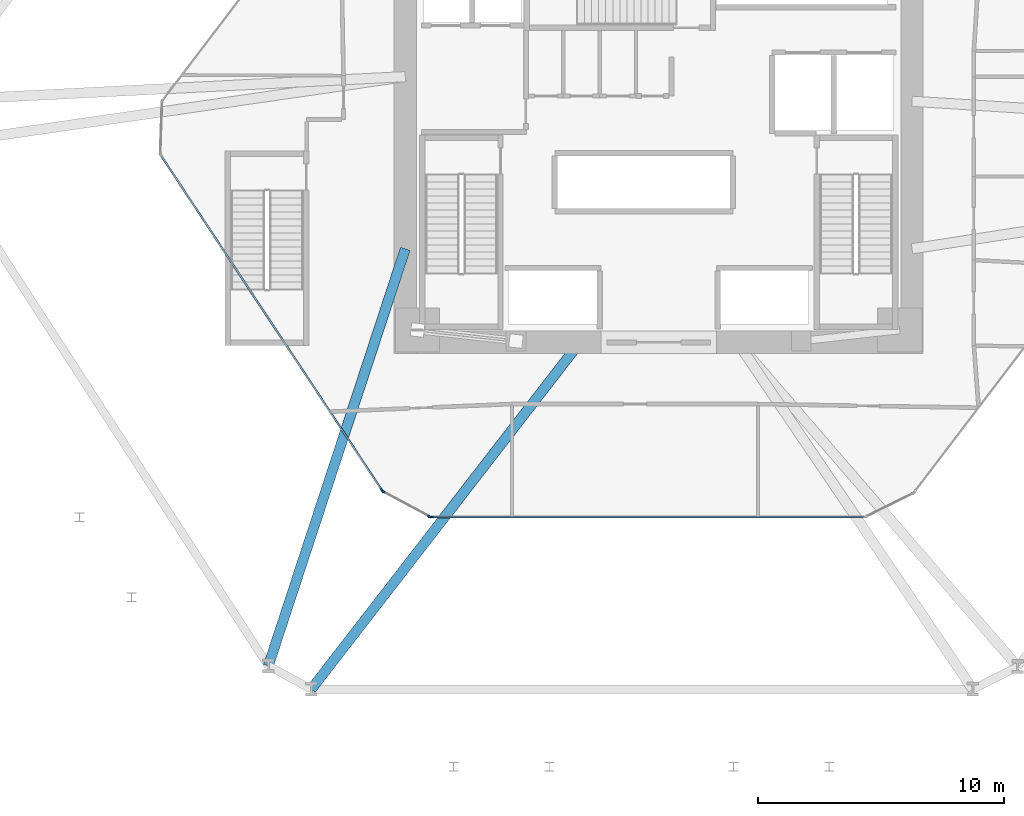
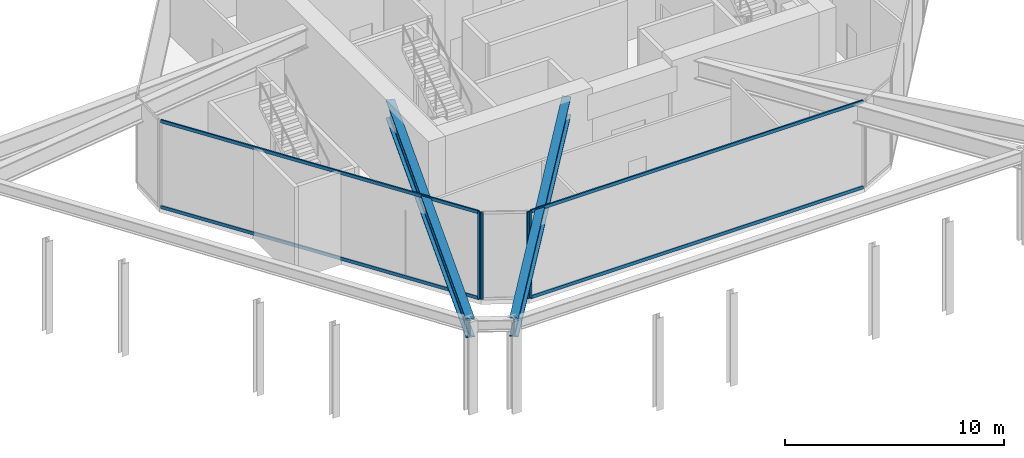
# One storey, part 6 of 16: 8 members, 2 beams, 3 elements without a shape of their own.
"""IFC4 building model written with IfcOpenShell, lengths in metres."""

from ifc_helpers import new_model, si_unit, direction, frame, origin, origin_2d, place, context, subcontext, project, spatial, rectangle, i_section, extrude, source, transform, mapped, material, layer, layer_set, material_profile, profile_set, type_object, type_shapes, element, aggregate, save


model = new_model("IFC4")

# Units and contexts
model_context = context("Model", 3, precision=1e-05, world=origin(), true_north=direction((0.0, 1.0)))
body_context = subcontext(model_context, "Body", "Model", "MODEL_VIEW")
ifc_project = project(units=[si_unit("LENGTHUNIT", "METRE"), si_unit("AREAUNIT", "SQUARE_METRE"), si_unit("VOLUMEUNIT", "CUBIC_METRE"), si_unit("PLANEANGLEUNIT", "RADIAN"), si_unit("MASSUNIT", "GRAM", prefix="KILO")], contexts=[model_context])

# Site, building, storey
site_placement = place(None, origin())
site = spatial("IfcSite", under=ifc_project, at=site_placement, CompositionType="ELEMENT")
building_placement = place(site_placement, origin())
building = spatial("IfcBuilding", under=site, at=building_placement, Name="Durnholm Broadcast Tower", CompositionType="ELEMENT")
storey_placement = place(building_placement, frame((0.0, 0.0, 5.199951171875)))
storey = spatial("IfcBuildingStorey", under=building, at=storey_placement, Name="L01", CompositionType="ELEMENT", Elevation=5.199951171875)

# Beams
ifc_material_1 = material(Name="Steel ASTM A992 Grade 50", Category="steel")
ifc_material_profile_1 = material_profile(ifc_material_1, i_section(OverallWidth=0.412109375, OverallDepth=1.048095703125, WebThickness=0.033935546875, FlangeThickness=0.059814453125, FilletRadius=0.04052734375, at=origin_2d()), Name="W40X431")
ifc_profile_set_1 = profile_set([ifc_material_profile_1], Name="Steel ASTM A992 Grade 50")
beam_type = type_object("IfcBeamType", Name="STL-TG-W40X431", PredefinedType="USERDEFINED", material=ifc_profile_set_1)
shared_shape_1 = source(origin(), body_context, "Body", "SweptSolid", [
    extrude(i_section(OverallWidth=0.412109375, OverallDepth=1.048095703125, WebThickness=0.033935546875, FlangeThickness=0.059814453125, FilletRadius=0.04052734375, at=origin_2d()), origin(), (0.0, 0.0, 1.0), 17.833740234375),
])
beam_1_placement = place(storey_placement, frame((-3.199951171875, -8.300048828125, 4.31103515625), z_axis=(-0.612293019064, -0.790630924519, 0.0), x_axis=(0.790630924519, -0.612293019064, 0.0)))
element("IfcBeam", 1, at=beam_1_placement, inside=storey, type_object=beam_type, Name="L01 radial primary floor girder 12", ObjectType="GIRDER", PredefinedType="USERDEFINED", context=body_context, shape_type="MappedRepresentation", body=[
    mapped(shared_shape_1, transform((0.0, 0.0, 0.0), x_axis=(1.0, 0.0, 0.0), y_axis=(0.0, 1.0, 0.0), z_axis=(0.0, 0.0, 1.0), scale=1.0)),
])
shared_shape_2 = source(origin(), body_context, "Body", "SweptSolid", [
    extrude(i_section(OverallWidth=0.412109375, OverallDepth=1.048095703125, WebThickness=0.033935546875, FlangeThickness=0.059814453125, FilletRadius=0.04052734375, at=origin_2d()), origin(), (0.0, 0.0, 1.0), 17.84130859375),
])
type_shapes(beam_type, [shared_shape_1, shared_shape_2])
beam_2_placement = place(storey_placement, frame((-10.300048828125, -4.5, 4.31103515625), z_axis=(-0.311996254667, -0.950083331647, 0.0), x_axis=(0.950083331647, -0.311996254667, 0.0)))
element("IfcBeam", 2, at=beam_2_placement, inside=storey, type_object=beam_type, Name="L01 radial primary floor girder 01", ObjectType="GIRDER", PredefinedType="USERDEFINED", context=body_context, shape_type="MappedRepresentation", body=[
    mapped(shared_shape_2, transform((0.0, 0.0, 0.0), x_axis=(1.0, 0.0, 0.0), y_axis=(0.0, 1.0, 0.0), z_axis=(0.0, 0.0, 1.0), scale=1.0)),
])

# Curtain wall, members
ifc_material_2 = material(Name="Aluminium and Solar Control IGU", Category="aluminium")
ifc_layer_1 = layer(ifc_material_2, 0.1650390625)
ifc_layer_set_1 = layer_set([ifc_layer_1], Name="Aluminium and Solar Control IGU")
curtain_wall_type_1 = type_object("IfcCurtainWallType", Name="CW-SYS-5", PredefinedType="NOTDEFINED", material=ifc_layer_set_1)
curtain_wall_1_placement = place(storey_placement, origin())
curtain_wall_1 = element("IfcCurtainWall", 3, at=curtain_wall_1_placement, inside=storey, type_object=curtain_wall_type_1, Name="L01 curtain wall CW-CORNER CW-L01-CRN-11", PredefinedType="NOTDEFINED")
ifc_material_3 = material(Name="Aluminium 6063-T6", Category="aluminium")
ifc_material_profile_2 = material_profile(ifc_material_3, rectangle(XDim=0.06494140625, YDim=0.1650390625, at=origin_2d()), Name="CWM65X165")
ifc_profile_set_2 = profile_set([ifc_material_profile_2], Name="Aluminium 6063-T6")
member_type_1 = type_object("IfcMemberType", Name="CW-SYS-5-MUL", PredefinedType="MULLION", material=ifc_profile_set_2)
shared_shape_3 = source(origin(), body_context, "Body", "SweptSolid", [
    extrude(rectangle(XDim=0.06494140625, YDim=0.1650390625, at=origin_2d()), origin(), (0.0, 0.0, 1.0), 4.85009765625),
])
type_shapes(member_type_1, [shared_shape_3])
member_1_placement = place(storey_placement, frame((-9.31201171875, -15.384521484375, 0.0), z_axis=(0.0, 0.0, 1.0), x_axis=(-0.473812478484, -0.880625763439, 0.0)))
member_1 = element("IfcMember", 4, at=member_1_placement, type_object=member_type_1, Name="CW-CORNER mullion 1", PredefinedType="MULLION", context=body_context, shape_type="MappedRepresentation", body=[
    mapped(shared_shape_3, transform((0.0, 0.0, 0.0), x_axis=(1.0, 0.0, 0.0), y_axis=(0.0, 1.0, 0.0), z_axis=(0.0, 0.0, 1.0), scale=1.0)),
])
member_2_placement = place(storey_placement, frame((-11.1923828125, -14.373046875, 0.0), z_axis=(0.0, 0.0, 1.0), x_axis=(-0.473812478484, -0.880625763439, 0.0)))
member_2 = element("IfcMember", 5, at=member_2_placement, type_object=member_type_1, Name="CW-CORNER mullion 2", PredefinedType="MULLION", context=body_context, shape_type="MappedRepresentation", body=[
    mapped(shared_shape_3, transform((0.0, 0.0, 0.0), x_axis=(1.0, 0.0, 0.0), y_axis=(0.0, 1.0, 0.0), z_axis=(0.0, 0.0, 1.0), scale=1.0)),
])
aggregate(curtain_wall_1, [member_1, member_2])

# Curtain wall, member
ifc_layer_2 = layer(ifc_material_2, 0.219970703125)
ifc_layer_set_2 = layer_set([ifc_layer_2], Name="Aluminium and Solar Control IGU")
curtain_wall_type_2 = type_object("IfcCurtainWallType", Name="CW-SYS-1", PredefinedType="NOTDEFINED", material=ifc_layer_set_2)
curtain_wall_2_placement = place(storey_placement, origin())
curtain_wall_2 = element("IfcCurtainWall", 6, at=curtain_wall_2_placement, inside=storey, type_object=curtain_wall_type_2, Name="L01 curtain wall CW-LOBBY CW-L01-F10", PredefinedType="NOTDEFINED")
ifc_material_profile_3 = material_profile(ifc_material_3, rectangle(XDim=0.074951171875, YDim=0.219970703125, at=origin_2d()), Name="CWM75X220")
ifc_profile_set_3 = profile_set([ifc_material_profile_3], Name="Aluminium 6063-T6")
member_type_2 = type_object("IfcMemberType", Name="CW-SYS-1-MUL", PredefinedType="MULLION", material=ifc_profile_set_3)
shared_shape_4 = source(origin(), body_context, "Body", "SweptSolid", [
    extrude(rectangle(XDim=0.074951171875, YDim=0.219970703125, at=origin_2d()), origin(), (0.0, 0.0, 1.0), 4.85009765625),
])
type_shapes(member_type_2, [shared_shape_4])
member_3_placement = place(storey_placement, frame((-9.24609375, -15.39990234375, 0.0), z_axis=(0.0, 0.0, 1.0), x_axis=(0.0, -1.0, 0.0)))
member_3 = element("IfcMember", 7, at=member_3_placement, type_object=member_type_2, Name="CW-LOBBY mullion 2", PredefinedType="MULLION", context=body_context, shape_type="MappedRepresentation", body=[
    mapped(shared_shape_4, transform((0.0, 0.0, 0.0), x_axis=(1.0, 0.0, 0.0), y_axis=(0.0, 1.0, 0.0), z_axis=(0.0, 0.0, 1.0), scale=1.0)),
])

curtain_wall_3_placement = place(storey_placement, origin())
curtain_wall_3 = element("IfcCurtainWall", 8, at=curtain_wall_3_placement, inside=storey, type_object=curtain_wall_type_2, Name="L01 curtain wall CW-LOBBY CW-L01-F12", PredefinedType="NOTDEFINED")
member_4_placement = place(storey_placement, frame((-11.241455078125, -14.326416015625, 0.0), z_axis=(0.0, 0.0, 1.0), x_axis=(-0.834496352934, -0.551013463483, 0.0)))
member_4 = element("IfcMember", 9, at=member_4_placement, type_object=member_type_2, Name="CW-LOBBY mullion 1", PredefinedType="MULLION", context=body_context, shape_type="MappedRepresentation", body=[
    mapped(shared_shape_4, transform((0.0, 0.0, 0.0), x_axis=(1.0, 0.0, 0.0), y_axis=(0.0, 1.0, 0.0), z_axis=(0.0, 0.0, 1.0), scale=1.0)),
])

# Member
ifc_material_profile_4 = material_profile(ifc_material_3, rectangle(XDim=0.074951171875, YDim=0.179931640625, at=origin_2d()), Name="CWT75X180")
ifc_profile_set_4 = profile_set([ifc_material_profile_4], Name="Aluminium 6063-T6")
member_type_3 = type_object("IfcMemberType", Name="CW-SYS-1-TRN", PredefinedType="USERDEFINED", material=ifc_profile_set_4)
shared_shape_5 = source(origin(), body_context, "Body", "SweptSolid", [
    extrude(rectangle(XDim=0.074951171875, YDim=0.179931640625, at=origin_2d()), origin(), (0.0, 0.0, 1.0), 17.533203125),
])
member_5_placement = place(storey_placement, frame((8.32470703125, -15.39990234375, 0.03759765625), z_axis=(-1.0, 0.0, 0.0), x_axis=(0.0, -1.0, 0.0)))
member_5 = element("IfcMember", 10, at=member_5_placement, type_object=member_type_3, Name="CW-LOBBY transom 1.1", ObjectType="TRANSOM", PredefinedType="USERDEFINED", context=body_context, shape_type="MappedRepresentation", body=[
    mapped(shared_shape_5, transform((0.0, 0.0, 0.0), x_axis=(1.0, 0.0, 0.0), y_axis=(0.0, 1.0, 0.0), z_axis=(0.0, 0.0, 1.0), scale=1.0)),
])

member_6_placement = place(storey_placement, frame((8.32470703125, -15.39990234375, 4.8125), z_axis=(-1.0, 0.0, 0.0), x_axis=(0.0, -1.0, 0.0)))
member_6 = element("IfcMember", 11, at=member_6_placement, type_object=member_type_3, Name="CW-LOBBY transom 1.2", ObjectType="TRANSOM", PredefinedType="USERDEFINED", context=body_context, shape_type="MappedRepresentation", body=[
    mapped(shared_shape_5, transform((0.0, 0.0, 0.0), x_axis=(1.0, 0.0, 0.0), y_axis=(0.0, 1.0, 0.0), z_axis=(0.0, 0.0, 1.0), scale=1.0)),
])

aggregate(curtain_wall_2, [member_3, member_5, member_6])

shared_shape_6 = source(origin(), body_context, "Body", "SweptSolid", [
    extrude(rectangle(XDim=0.074951171875, YDim=0.179931640625, at=origin_2d()), origin(), (0.0, 0.0, 1.0), 16.248779296875),
])
type_shapes(member_type_3, [shared_shape_5, shared_shape_6])
member_7_placement = place(storey_placement, frame((-11.26220703125, -14.294921875, 0.03759765625), z_axis=(-0.551015933412, 0.834494722048, 0.0), x_axis=(-0.834494722048, -0.551015933412, 0.0)))
member_7 = element("IfcMember", 12, at=member_7_placement, type_object=member_type_3, Name="CW-LOBBY transom 1.1", ObjectType="TRANSOM", PredefinedType="USERDEFINED", context=body_context, shape_type="MappedRepresentation", body=[
    mapped(shared_shape_6, transform((0.0, 0.0, 0.0), x_axis=(1.0, 0.0, 0.0), y_axis=(0.0, 1.0, 0.0), z_axis=(0.0, 0.0, 1.0), scale=1.0)),
])

member_8_placement = place(storey_placement, frame((-11.26220703125, -14.294921875, 4.8125), z_axis=(-0.551015933412, 0.834494722048, 0.0), x_axis=(-0.834494722048, -0.551015933412, 0.0)))
member_8 = element("IfcMember", 13, at=member_8_placement, type_object=member_type_3, Name="CW-LOBBY transom 1.2", ObjectType="TRANSOM", PredefinedType="USERDEFINED", context=body_context, shape_type="MappedRepresentation", body=[
    mapped(shared_shape_6, transform((0.0, 0.0, 0.0), x_axis=(1.0, 0.0, 0.0), y_axis=(0.0, 1.0, 0.0), z_axis=(0.0, 0.0, 1.0), scale=1.0)),
])

aggregate(curtain_wall_3, [member_4, member_7, member_8])

save(model, "model.ifc")
